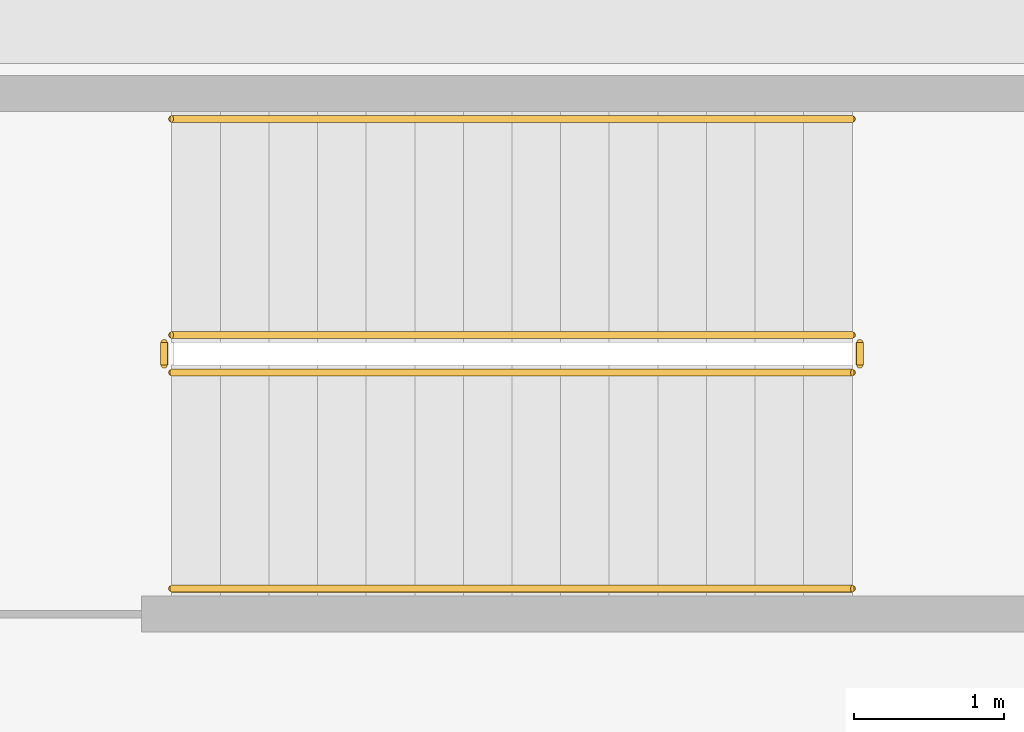
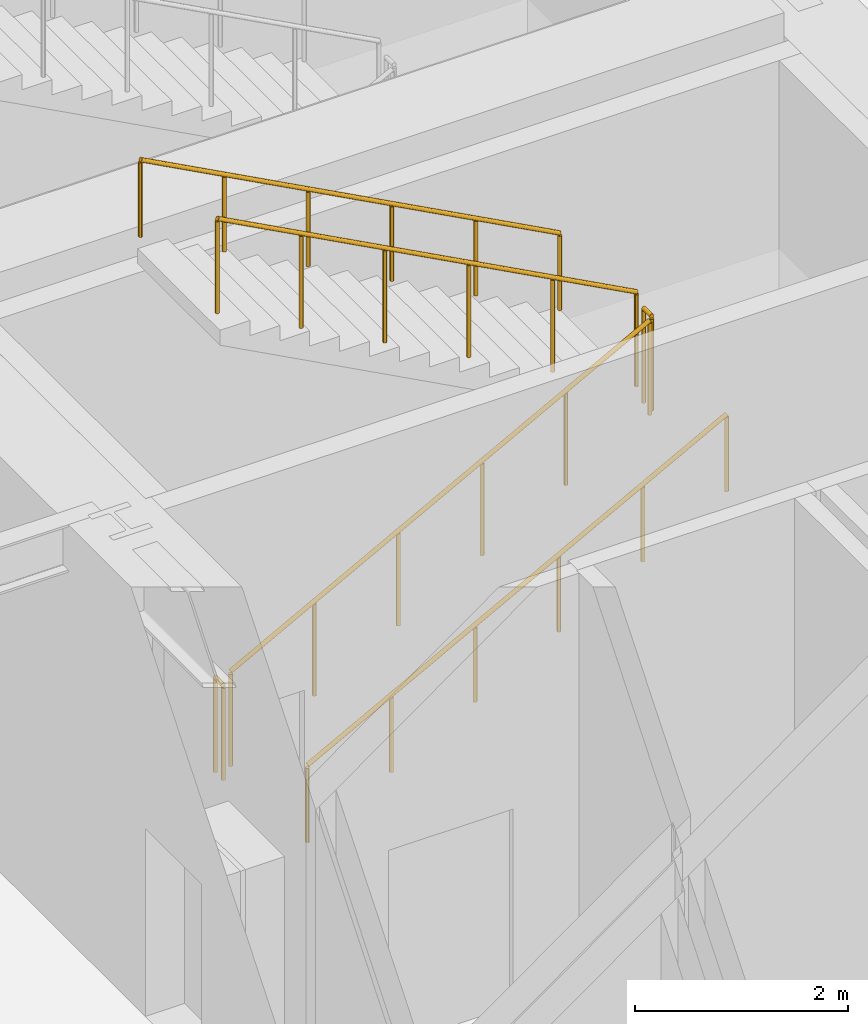
# One storey, part 13 of 16: 6 railings.
"""IFC4 building model written with IfcOpenShell, lengths in metres."""

from ifc_helpers import new_model, si_unit, direction, frame, origin, origin_2d, place, context, subcontext, project, spatial, circle, extrude, material, type_object, element, save


model = new_model("IFC4")

# Units and contexts
model_context = context("Model", 3, precision=1e-05, world=origin(), true_north=direction((0.0, 1.0)))
body_context = subcontext(model_context, "Body", "Model", "MODEL_VIEW")
ifc_project = project(units=[si_unit("LENGTHUNIT", "METRE"), si_unit("AREAUNIT", "SQUARE_METRE"), si_unit("VOLUMEUNIT", "CUBIC_METRE"), si_unit("PLANEANGLEUNIT", "RADIAN"), si_unit("MASSUNIT", "GRAM", prefix="KILO")], contexts=[model_context])

# Site, building, storey
site_placement = place(None, origin())
site = spatial("IfcSite", under=ifc_project, at=site_placement, CompositionType="ELEMENT")
building_placement = place(site_placement, origin())
building = spatial("IfcBuilding", under=site, at=building_placement, Name="Kolvaren Arena Tower", CompositionType="ELEMENT")
storey_placement = place(building_placement, frame((0.0, 0.0, 94.5)))
storey = spatial("IfcBuildingStorey", under=building, at=storey_placement, Name="L21", CompositionType="ELEMENT", Elevation=94.5)

# Railings
ifc_material_1 = material(Name="Painted galvanized steel", Category="steel")
railing_type_1 = type_object("IfcRailingType", Name="GUARD-ST-110", PredefinedType="GUARDRAIL", material=ifc_material_1)
railing_1_placement = place(storey_placement, frame((52.719970703125, 31.639892578125, 0.17333984375)))
element("IfcRailing", 1, at=railing_1_placement, inside=storey, type_object=railing_type_1, Name="L21 ST-E1 stair guard 1", PredefinedType="GUARDRAIL", context=body_context, shape_type="SweptSolid", body=[
    extrude(circle(Radius=0.02392578125, at=origin_2d()), frame((0.0, 0.0, 1.076171875), z_axis=(0.88174791909, 0.0, 0.471720899664), x_axis=(0.0, 1.0, 0.0)), (0.0, 0.0, 1.0), 5.14453125),
    extrude(circle(Radius=0.02099609375, at=origin_2d()), origin(), (0.0, 0.0, 1.0), 1.052001953125),
    extrude(circle(Radius=0.02099609375, at=origin_2d()), frame((0.9072265625, 0.0, 0.4853515625)), (0.0, 0.0, 1.0), 1.052001953125),
    extrude(circle(Radius=0.02099609375, at=origin_2d()), frame((1.814453125, 0.0, 0.970703125)), (0.0, 0.0, 1.0), 1.052001953125),
    extrude(circle(Radius=0.02099609375, at=origin_2d()), frame((2.7216796875, 0.0, 1.4560546875)), (0.0, 0.0, 1.0), 1.052001953125),
    extrude(circle(Radius=0.02099609375, at=origin_2d()), frame((3.62890625, 0.0, 1.94140625)), (0.0, 0.0, 1.0), 1.052001953125),
    extrude(circle(Radius=0.02099609375, at=origin_2d()), frame((4.5361328125, 0.0, 2.4267578125)), (0.0, 0.0, 1.0), 1.052001953125),
])
railing_2_placement = place(storey_placement, frame((57.305908203125, 31.68994140625, 2.60009765625)))
element("IfcRailing", 2, at=railing_2_placement, inside=storey, type_object=railing_type_1, Name="L21 ST-E1 stair guard 2", PredefinedType="GUARDRAIL", context=body_context, shape_type="SweptSolid", body=[
    extrude(circle(Radius=0.02392578125, at=origin_2d()), frame((0.0, 0.0, 1.076171875), z_axis=(0.0, 1.0, 0.0), x_axis=(-1.0, 0.0, 0.0)), (0.0, 0.0, 1.0), 0.150146484375),
    extrude(circle(Radius=0.02099609375, at=origin_2d()), origin(), (0.0, 0.0, 1.0), 1.052001953125),
    extrude(circle(Radius=0.02099609375, at=origin_2d()), frame((0.0, 0.150146484375, 0.0)), (0.0, 0.0, 1.0), 1.052001953125),
])
railing_3_placement = place(storey_placement, frame((57.256103515625, 31.889892578125, 2.7734375)))
element("IfcRailing", 3, at=railing_3_placement, inside=storey, type_object=railing_type_1, Name="L21 ST-E1 stair guard 3", PredefinedType="GUARDRAIL", context=body_context, shape_type="SweptSolid", body=[
    extrude(circle(Radius=0.02392578125, at=origin_2d()), frame((0.0, 0.0, 1.076171875), z_axis=(-0.881767657903, 0.0, 0.471684001717), x_axis=(0.0, -1.0, 0.0)), (0.0, 0.0, 1.0), 5.144287109375),
    extrude(circle(Radius=0.02099609375, at=origin_2d()), origin(), (0.0, 0.0, 1.0), 1.052001953125),
    extrude(circle(Radius=0.02099609375, at=origin_2d()), frame((-0.9072265625, 0.0, 0.4853515625)), (0.0, 0.0, 1.0), 1.052001953125),
    extrude(circle(Radius=0.02099609375, at=origin_2d()), frame((-1.814453125, 0.0, 0.970703125)), (0.0, 0.0, 1.0), 1.052001953125),
    extrude(circle(Radius=0.02099609375, at=origin_2d()), frame((-2.7216796875, 0.0, 1.455810546875)), (0.0, 0.0, 1.0), 1.052001953125),
    extrude(circle(Radius=0.02099609375, at=origin_2d()), frame((-3.62890625, 0.0, 1.941162109375)), (0.0, 0.0, 1.0), 1.052001953125),
    extrude(circle(Radius=0.02099609375, at=origin_2d()), frame((-4.5361328125, 0.0, 2.426513671875)), (0.0, 0.0, 1.0), 1.052001953125),
])
railing_4_placement = place(storey_placement, frame((52.669921875, 31.68994140625, 0.0)))
element("IfcRailing", 4, at=railing_4_placement, inside=storey, type_object=railing_type_1, Name="L21 ST-E1 stair guard 4", PredefinedType="GUARDRAIL", context=body_context, shape_type="SweptSolid", body=[
    extrude(circle(Radius=0.02392578125, at=origin_2d()), frame((0.0, 0.0, 1.076171875), z_axis=(0.0, 1.0, 0.0), x_axis=(-1.0, 0.0, 0.0)), (0.0, 0.0, 1.0), 0.150146484375),
    extrude(circle(Radius=0.02099609375, at=origin_2d()), origin(), (0.0, 0.0, 1.0), 1.052001953125),
    extrude(circle(Radius=0.02099609375, at=origin_2d()), frame((0.0, 0.150146484375, 0.0)), (0.0, 0.0, 1.0), 1.052001953125),
])
ifc_material_2 = material(Name="Brushed stainless steel handrail", Category="steel")
railing_type_2 = type_object("IfcRailingType", Name="HRAIL-900", PredefinedType="HANDRAIL", material=ifc_material_2)
railing_5_placement = place(storey_placement, frame((52.719970703125, 30.199951171875, 0.17333984375)))
element("IfcRailing", 5, at=railing_5_placement, inside=storey, type_object=railing_type_2, Name="L21 ST-E1 stair handrail 1", PredefinedType="HANDRAIL", context=body_context, shape_type="SweptSolid", body=[
    extrude(circle(Radius=0.02392578125, at=origin_2d()), frame((0.0, 0.0, 0.8759765625), z_axis=(0.88174791909, 0.0, 0.471720899664), x_axis=(0.0, 1.0, 0.0)), (0.0, 0.0, 1.0), 5.14453125),
    extrude(circle(Radius=0.02099609375, at=origin_2d()), origin(), (0.0, 0.0, 1.0), 0.851806640625),
    extrude(circle(Radius=0.02099609375, at=origin_2d()), frame((0.9072265625, 0.0, 0.4853515625)), (0.0, 0.0, 1.0), 0.851806640625),
    extrude(circle(Radius=0.02099609375, at=origin_2d()), frame((1.814453125, 0.0, 0.970703125)), (0.0, 0.0, 1.0), 0.851806640625),
    extrude(circle(Radius=0.02099609375, at=origin_2d()), frame((2.7216796875, 0.0, 1.4560546875)), (0.0, 0.0, 1.0), 0.851806640625),
    extrude(circle(Radius=0.02099609375, at=origin_2d()), frame((3.62890625, 0.0, 1.94140625)), (0.0, 0.0, 1.0), 0.851806640625),
    extrude(circle(Radius=0.02099609375, at=origin_2d()), frame((4.5361328125, 0.0, 2.4267578125)), (0.0, 0.0, 1.0), 0.851806640625),
])
railing_6_placement = place(storey_placement, frame((57.256103515625, 33.330078125, 2.7734375)))
element("IfcRailing", 6, at=railing_6_placement, inside=storey, type_object=railing_type_2, Name="L21 ST-E1 stair handrail 2", PredefinedType="HANDRAIL", context=body_context, shape_type="SweptSolid", body=[
    extrude(circle(Radius=0.02392578125, at=origin_2d()), frame((0.0, 0.0, 0.8759765625), z_axis=(-0.881767657903, 0.0, 0.471684001717), x_axis=(0.0, -1.0, 0.0)), (0.0, 0.0, 1.0), 5.144287109375),
    extrude(circle(Radius=0.02099609375, at=origin_2d()), origin(), (0.0, 0.0, 1.0), 0.851806640625),
    extrude(circle(Radius=0.02099609375, at=origin_2d()), frame((-0.9072265625, 0.0, 0.4853515625)), (0.0, 0.0, 1.0), 0.851806640625),
    extrude(circle(Radius=0.02099609375, at=origin_2d()), frame((-1.814453125, 0.0, 0.970703125)), (0.0, 0.0, 1.0), 0.851806640625),
    extrude(circle(Radius=0.02099609375, at=origin_2d()), frame((-2.7216796875, 0.0, 1.455810546875)), (0.0, 0.0, 1.0), 0.851806640625),
    extrude(circle(Radius=0.02099609375, at=origin_2d()), frame((-3.62890625, 0.0, 1.941162109375)), (0.0, 0.0, 1.0), 0.851806640625),
    extrude(circle(Radius=0.02099609375, at=origin_2d()), frame((-4.5361328125, 0.0, 2.426513671875)), (0.0, 0.0, 1.0), 0.851806640625),
])

save(model, "model.ifc")
